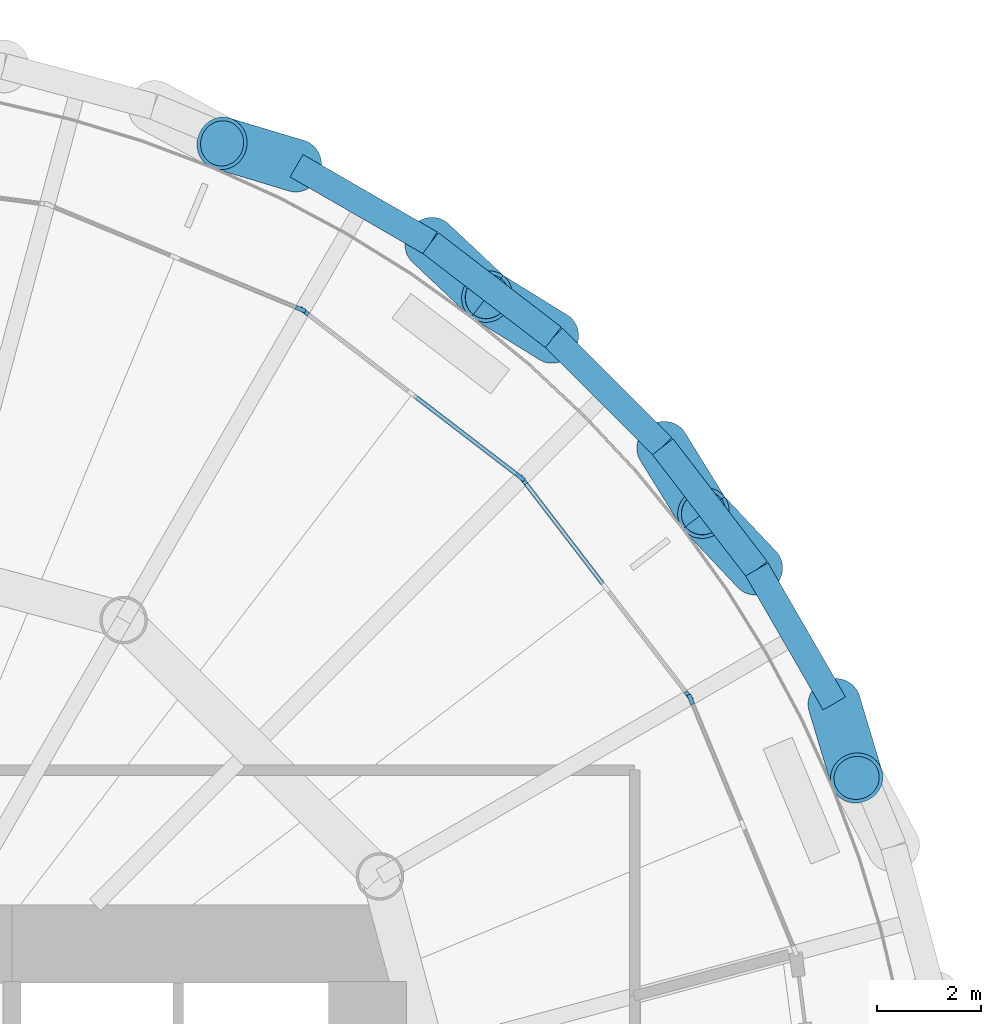
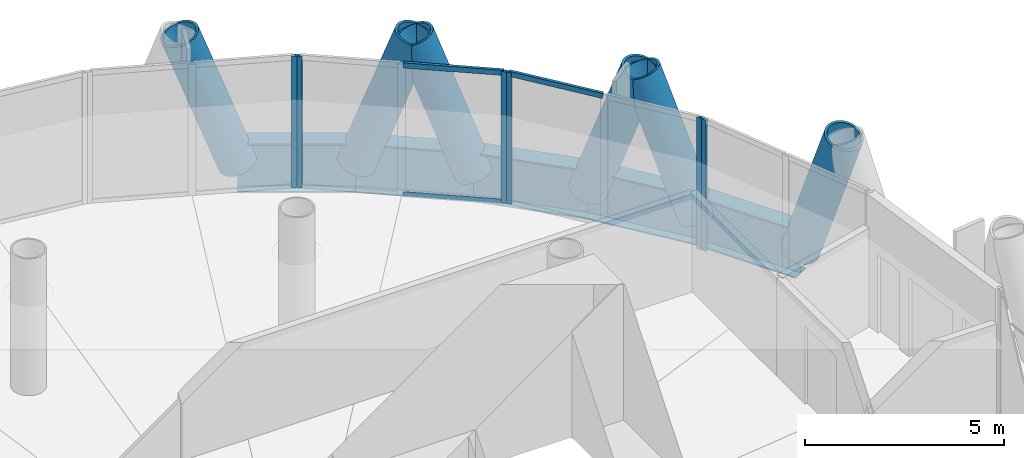
# One storey, part 7 of 14: 15 members, 5 beams, 4 elements without a shape of their own.
"""IFC4 building model written with IfcOpenShell, lengths in metres."""

from ifc_helpers import new_model, si_unit, direction, frame, origin, origin_2d, place, context, subcontext, project, spatial, rectangle, hollow_circle, i_section, extrude, material, material_profile, profile_set, type_object, element, aggregate, save


model = new_model("IFC4")

# Units and contexts
model_context = context("Model", 3, precision=1e-05, world=origin(), true_north=direction((0.0, 1.0)))
body_context = subcontext(model_context, "Body", "Model", "MODEL_VIEW")
ifc_project = project(units=[si_unit("LENGTHUNIT", "METRE"), si_unit("AREAUNIT", "SQUARE_METRE"), si_unit("VOLUMEUNIT", "CUBIC_METRE"), si_unit("PLANEANGLEUNIT", "RADIAN"), si_unit("MASSUNIT", "GRAM", prefix="KILO")], contexts=[model_context])

# Site, building, storey
site_placement = place(None, origin())
site = spatial("IfcSite", under=ifc_project, at=site_placement, CompositionType="ELEMENT")
building_placement = place(site_placement, origin())
building = spatial("IfcBuilding", under=site, at=building_placement, Name="Qaws Media Tower", CompositionType="ELEMENT")
storey_placement = place(building_placement, frame((0.0, 0.0, 215.0)))
storey = spatial("IfcBuildingStorey", under=building, at=storey_placement, Name="L49", CompositionType="ELEMENT", Elevation=215.0)

# Curtain wall, member
ifc_material_1 = material(Name="Aluminium and clear glass", Category="aluminium")
curtain_wall_type = type_object("IfcCurtainWallType", Name="Unitised curtain wall CW-C", PredefinedType="NOTDEFINED", material=ifc_material_1)
curtain_wall_1_placement = place(storey_placement, origin())
curtain_wall_1 = element("IfcCurtainWall", 1, at=curtain_wall_1_placement, inside=storey, type_object=curtain_wall_type, Name="CWC curtain wall L49-02", PredefinedType="NOTDEFINED")
ifc_material_2 = material(Name="Aluminium mullion", Category="aluminium")
ifc_material_profile_1 = material_profile(ifc_material_2, rectangle(XDim=0.080078125, YDim=0.199951171875, at=origin_2d()), Name="80x200")
ifc_profile_set_1 = profile_set([ifc_material_profile_1], Name="Aluminium mullion")
member_type_1 = type_object("IfcMemberType", Name="Curtain wall mullion 80x200", PredefinedType="MULLION", material=ifc_profile_set_1)
member_1_placement = place(storey_placement, frame((77.68212890625, 60.1630859375, 0.0), z_axis=(0.0, 0.0, 1.0), x_axis=(-0.923879494026, -0.382683525276, 0.0)))
member_1 = element("IfcMember", 2, at=member_1_placement, type_object=member_type_1, Name="CWC mullion 3", PredefinedType="MULLION", context=body_context, shape_type="SweptSolid", body=[
    extrude(rectangle(XDim=0.080078125, YDim=0.199951171875, at=origin_2d()), origin(), (0.0, 0.0, 1.0), 4.0400390625),
])
aggregate(curtain_wall_1, [member_1])

# Curtain wall, members
curtain_wall_2_placement = place(storey_placement, origin())
curtain_wall_2 = element("IfcCurtainWall", 3, at=curtain_wall_2_placement, inside=storey, type_object=curtain_wall_type, Name="CWC curtain wall L49-03", PredefinedType="NOTDEFINED")
member_2_placement = place(storey_placement, frame((77.642578125, 60.231689453125, 0.0), z_axis=(0.0, 0.0, 1.0), x_axis=(-0.793353307917, -0.608761471199, 0.0)))
member_2 = element("IfcMember", 4, at=member_2_placement, type_object=member_type_1, Name="CWC mullion 1", PredefinedType="MULLION", context=body_context, shape_type="SweptSolid", body=[
    extrude(rectangle(XDim=0.080078125, YDim=0.199951171875, at=origin_2d()), origin(), (0.0, 0.0, 1.0), 4.0400390625),
])
member_3_placement = place(storey_placement, frame((74.44921875, 64.393310546875, 0.0), z_axis=(0.0, 0.0, 1.0), x_axis=(-0.793353307917, -0.608761471199, 0.0)))
member_3 = element("IfcMember", 5, at=member_3_placement, type_object=member_type_1, Name="CWC mullion 3", PredefinedType="MULLION", context=body_context, shape_type="SweptSolid", body=[
    extrude(rectangle(XDim=0.080078125, YDim=0.199951171875, at=origin_2d()), origin(), (0.0, 0.0, 1.0), 4.0400390625),
])

curtain_wall_3_placement = place(storey_placement, origin())
curtain_wall_3 = element("IfcCurtainWall", 6, at=curtain_wall_3_placement, inside=storey, type_object=curtain_wall_type, Name="CWC curtain wall L49-04", PredefinedType="NOTDEFINED")
member_4_placement = place(storey_placement, frame((74.393310546875, 64.44921875, 0.0), z_axis=(0.0, 0.0, 1.0), x_axis=(-0.608761471199, -0.793353307917, 0.0)))
member_4 = element("IfcMember", 7, at=member_4_placement, type_object=member_type_1, Name="CWC mullion 1", PredefinedType="MULLION", context=body_context, shape_type="SweptSolid", body=[
    extrude(rectangle(XDim=0.080078125, YDim=0.199951171875, at=origin_2d()), origin(), (0.0, 0.0, 1.0), 4.0400390625),
])
member_5_placement = place(storey_placement, frame((70.231689453125, 67.642578125, 0.0), z_axis=(0.0, 0.0, 1.0), x_axis=(-0.608761471199, -0.793353307917, 0.0)))
member_5 = element("IfcMember", 8, at=member_5_placement, type_object=member_type_1, Name="CWC mullion 3", PredefinedType="MULLION", context=body_context, shape_type="SweptSolid", body=[
    extrude(rectangle(XDim=0.080078125, YDim=0.199951171875, at=origin_2d()), origin(), (0.0, 0.0, 1.0), 4.0400390625),
])

# Curtain wall, member
curtain_wall_4_placement = place(storey_placement, origin())
curtain_wall_4 = element("IfcCurtainWall", 9, at=curtain_wall_4_placement, inside=storey, type_object=curtain_wall_type, Name="CWC curtain wall L49-05", PredefinedType="NOTDEFINED")
member_6_placement = place(storey_placement, frame((70.1630859375, 67.68212890625, 0.0), z_axis=(0.0, 0.0, 1.0), x_axis=(-0.382683525276, -0.923879494026, 0.0)))
member_6 = element("IfcMember", 10, at=member_6_placement, type_object=member_type_1, Name="CWC mullion 1", PredefinedType="MULLION", context=body_context, shape_type="SweptSolid", body=[
    extrude(rectangle(XDim=0.080078125, YDim=0.199951171875, at=origin_2d()), origin(), (0.0, 0.0, 1.0), 4.0400390625),
])
aggregate(curtain_wall_4, [member_6])

# Member
ifc_material_3 = material(Name="Aluminium transom", Category="aluminium")
ifc_material_profile_2 = material_profile(ifc_material_3, rectangle(XDim=0.080078125, YDim=0.159912109375, at=origin_2d()), Name="80x160")
ifc_profile_set_2 = profile_set([ifc_material_profile_2], Name="Aluminium transom")
member_type_2 = type_object("IfcMemberType", Name="Curtain wall transom 80x160", PredefinedType="USERDEFINED", material=ifc_profile_set_2)
member_7_placement = place(storey_placement, frame((76.021484375, 62.34423828125, 4.0), z_axis=(-0.608735871547, 0.793372950567, 0.0), x_axis=(-0.793372950567, -0.608735871547, 0.0)))
member_7 = element("IfcMember", 11, at=member_7_placement, type_object=member_type_2, Name="CWC transom 2.2", ObjectType="TRANSOM", PredefinedType="USERDEFINED", context=body_context, shape_type="SweptSolid", body=[
    extrude(rectangle(XDim=0.080078125, YDim=0.159912109375, at=origin_2d()), origin(), (0.0, 0.0, 1.0), 2.542724609375),
])

aggregate(curtain_wall_2, [member_2, member_3, member_7])

member_8_placement = place(storey_placement, frame((74.361572265625, 64.4736328125, 0.0400390625), z_axis=(-0.793372950567, 0.608735871547, 0.0), x_axis=(-0.608735871547, -0.793372950567, 0.0)))
member_8 = element("IfcMember", 12, at=member_8_placement, type_object=member_type_2, Name="CWC transom 1.1", ObjectType="TRANSOM", PredefinedType="USERDEFINED", context=body_context, shape_type="SweptSolid", body=[
    extrude(rectangle(XDim=0.080078125, YDim=0.159912109375, at=origin_2d()), origin(), (0.0, 0.0, 1.0), 2.542724609375),
])

member_9_placement = place(storey_placement, frame((74.361572265625, 64.4736328125, 4.0), z_axis=(-0.793372950567, 0.608735871547, 0.0), x_axis=(-0.608735871547, -0.793372950567, 0.0)))
member_9 = element("IfcMember", 13, at=member_9_placement, type_object=member_type_2, Name="CWC transom 1.2", ObjectType="TRANSOM", PredefinedType="USERDEFINED", context=body_context, shape_type="SweptSolid", body=[
    extrude(rectangle(XDim=0.080078125, YDim=0.159912109375, at=origin_2d()), origin(), (0.0, 0.0, 1.0), 2.542724609375),
])

aggregate(curtain_wall_3, [member_4, member_5, member_8, member_9])

# Members
ifc_material_4 = material(Name="Steel S460", Category="steel")
ifc_material_profile_3 = material_profile(ifc_material_4, hollow_circle(Radius=0.508056640625, WallThickness=0.070068359375, at=origin_2d()), Name="CHS 1016x70")
ifc_profile_set_3 = profile_set([ifc_material_profile_3], Name="Steel S460")
member_type_3 = type_object("IfcMemberType", Name="Diagrid member CHS 1016x70", PredefinedType="USERDEFINED", material=ifc_profile_set_3)
for number, where, z_axis, x_axis, name in (
    (14, (78.95751953125, 62.6669921875, -0.909912109375), (-0.230485450042, 0.244664958727, 0.941815011183), (-0.727884328257, -0.685699937785, 0.0), "DG3 diagrid L49 A03"),
    (15, (80.44873046875, 60.084228515625, -0.909912109375), (0.096629630188, -0.321916275076, 0.941824095259), (0.957781442004, 0.287497320601, 0.0), "DG3 diagrid L49 B03"),
    (16, (75.033203125, 67.141845703125, -0.909912109375), (-0.285945501769, 0.176669755736, 0.941818967438), (-0.525614245055, -0.850723025077, 0.0), "DG3 diagrid L49 A04"),
    (17, (77.141845703125, 65.033203125, -0.909912109375), (0.176669755736, -0.285945501769, 0.941818967438), (0.850723025077, 0.525614245055, 0.0), "DG3 diagrid L49 B04"),
    (18, (70.084228515625, 70.44873046875, -0.909912109375), (-0.321916275076, 0.096629630188, 0.941824095259), (-0.287497320601, -0.957781442004, 0.0), "DG3 diagrid L49 A05"),
    (19, (72.6669921875, 68.95751953125, -0.909912109375), (0.244664958727, -0.230485450042, 0.941815011183), (0.685699937785, 0.727884328257, 0.0), "DG3 diagrid L49 B05"),
):
    element("IfcMember", number, at=place(storey_placement, frame(where, z_axis=z_axis, x_axis=x_axis)), inside=storey, type_object=member_type_3, Name=name, ObjectType="DIAGRID", PredefinedType="USERDEFINED", context=body_context, shape_type="SweptSolid", body=[
        extrude(hollow_circle(Radius=0.508056640625, WallThickness=0.070068359375, at=origin_2d()), origin(), (0.0, 0.0, 1.0), 4.45947265625),
    ])

# Beams
ifc_material_5 = material(Name="Steel S460", Category="steel")
ifc_material_profile_4 = material_profile(ifc_material_5, i_section(OverallWidth=0.5, OverallDepth=1.5, WebThickness=0.02001953125, FlangeThickness=0.0400390625, at=origin_2d()), Name="PG 1500x500")
ifc_profile_set_4 = profile_set([ifc_material_profile_4], Name="Steel S460")
beam_type = type_object("IfcBeamType", Name="Edge ring beam PG 1500x500", PredefinedType="BEAM", material=ifc_profile_set_4)
beam_1_placement = place(storey_placement, frame((80.44873046875, 60.084228515625, -0.909912109375), z_axis=(-0.500012985438, 0.866017906508, 0.0), x_axis=(-0.866017906508, -0.500012985438, 0.0)))
element("IfcBeam", 20, at=beam_1_placement, inside=storey, type_object=beam_type, Name="RB4 edge ring beam L49-04", PredefinedType="BEAM", context=body_context, shape_type="SweptSolid", body=[
    extrude(i_section(OverallWidth=0.5, OverallDepth=1.5, WebThickness=0.02001953125, FlangeThickness=0.0400390625, at=origin_2d()), origin(), (0.0, 0.0, 1.0), 2.982421875),
])
beam_2_placement = place(storey_placement, frame((78.95751953125, 62.6669921875, -0.909912109375), z_axis=(-0.608764872287, 0.793350698159, 0.0), x_axis=(-0.793350698159, -0.608764872287, 0.0)))
element("IfcBeam", 21, at=beam_2_placement, inside=storey, type_object=beam_type, Name="RB4 edge ring beam L49-05", PredefinedType="BEAM", context=body_context, shape_type="SweptSolid", body=[
    extrude(i_section(OverallWidth=0.5, OverallDepth=1.5, WebThickness=0.02001953125, FlangeThickness=0.0400390625, at=origin_2d()), origin(), (0.0, 0.0, 1.0), 2.982666015625),
])
beam_3_placement = place(storey_placement, frame((77.141845703125, 65.033203125, -0.909912109375), z_axis=(-0.707106781187, 0.707106781187, 0.0), x_axis=(-0.707106781187, -0.707106781187, 0.0)))
element("IfcBeam", 22, at=beam_3_placement, inside=storey, type_object=beam_type, Name="RB4 edge ring beam L49-06", PredefinedType="BEAM", context=body_context, shape_type="SweptSolid", body=[
    extrude(i_section(OverallWidth=0.5, OverallDepth=1.5, WebThickness=0.02001953125, FlangeThickness=0.0400390625, at=origin_2d()), origin(), (0.0, 0.0, 1.0), 2.982177734375),
])
beam_4_placement = place(storey_placement, frame((75.033203125, 67.141845703125, -0.909912109375), z_axis=(-0.793350698159, 0.608764872287, 0.0), x_axis=(-0.608764872287, -0.793350698159, 0.0)))
element("IfcBeam", 23, at=beam_4_placement, inside=storey, type_object=beam_type, Name="RB4 edge ring beam L49-07", PredefinedType="BEAM", context=body_context, shape_type="SweptSolid", body=[
    extrude(i_section(OverallWidth=0.5, OverallDepth=1.5, WebThickness=0.02001953125, FlangeThickness=0.0400390625, at=origin_2d()), origin(), (0.0, 0.0, 1.0), 2.982666015625),
])
beam_5_placement = place(storey_placement, frame((72.6669921875, 68.95751953125, -0.909912109375), z_axis=(-0.866017906508, 0.500012985438, 0.0), x_axis=(-0.500012985438, -0.866017906508, 0.0)))
element("IfcBeam", 24, at=beam_5_placement, inside=storey, type_object=beam_type, Name="RB4 edge ring beam L49-08", PredefinedType="BEAM", context=body_context, shape_type="SweptSolid", body=[
    extrude(i_section(OverallWidth=0.5, OverallDepth=1.5, WebThickness=0.02001953125, FlangeThickness=0.0400390625, at=origin_2d()), origin(), (0.0, 0.0, 1.0), 2.982421875),
])

save(model, "model.ifc")
